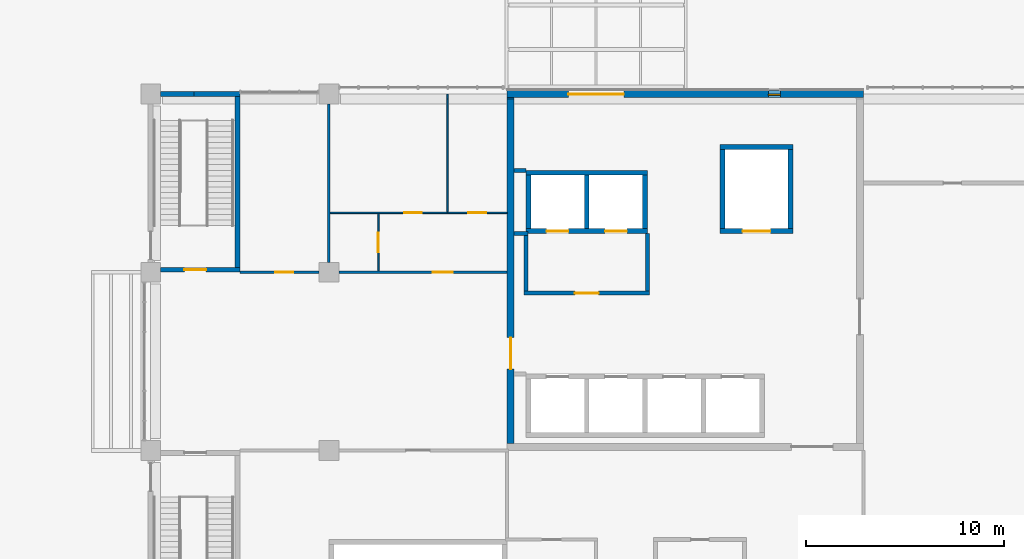
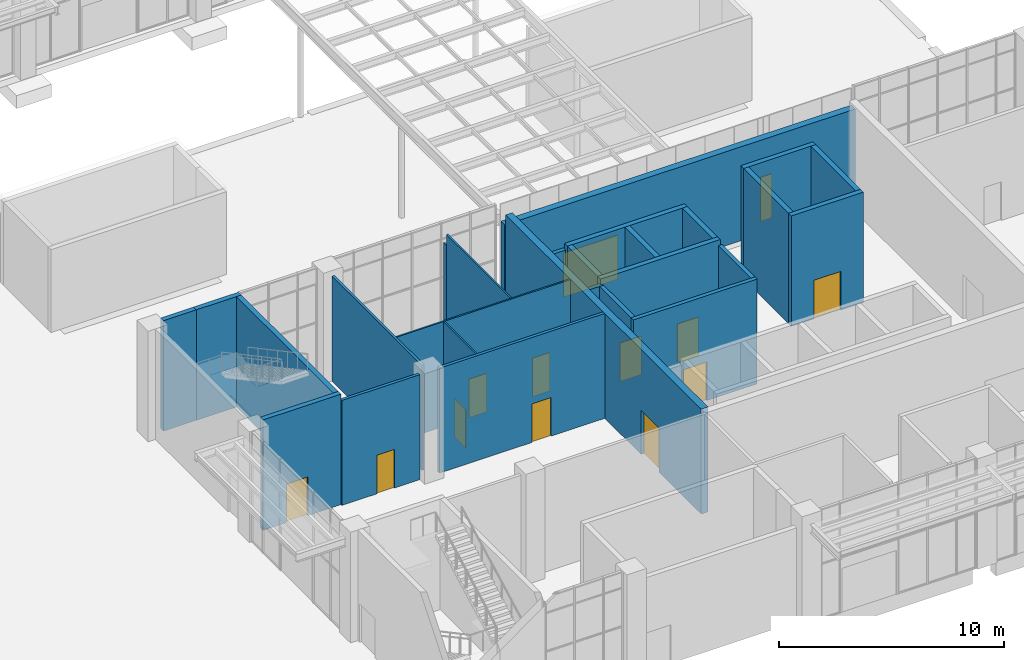
# One storey, part 60 of 86: 28 walls, 12 doors, 1 window, 13 openings.
"""IFC4 building model written with IfcOpenShell, lengths in metres."""

from ifc_helpers import new_model, si_unit, direction, frame, frame_2d, origin, place, context, subcontext, project, spatial, rectangle, extrude, material, layer, layer_set, type_object, element, fill, save


model = new_model("IFC4")

# Units and contexts
model_context = context("Model", 3, precision=1e-05, world=origin(), true_north=direction((0.0, 1.0)))
body_context = subcontext(model_context, "Body", "Model", "MODEL_VIEW")
ifc_project = project(units=[si_unit("LENGTHUNIT", "METRE"), si_unit("AREAUNIT", "SQUARE_METRE"), si_unit("VOLUMEUNIT", "CUBIC_METRE"), si_unit("PLANEANGLEUNIT", "RADIAN"), si_unit("MASSUNIT", "GRAM", prefix="KILO")], contexts=[model_context])

# Site, building, storey
site_placement = place(None, origin())
site = spatial("IfcSite", under=ifc_project, at=site_placement, CompositionType="ELEMENT")
building_placement = place(site_placement, origin())
building = spatial("IfcBuilding", under=site, at=building_placement, Name="Guidao Yard Department Store", CompositionType="ELEMENT")
storey_placement = place(building_placement, origin())
storey = spatial("IfcBuildingStorey", under=building, at=storey_placement, Name="L00", CompositionType="ELEMENT", Elevation=0.0)

# Wall, opening, door
ifc_material_1 = material(Name="Gypsum Board")
ifc_layer_1 = layer(ifc_material_1, 0.14990234375)
ifc_layer_set_1 = layer_set([ifc_layer_1], Name="Corridor Partition 150 Gypsum Board EI 60")
wall_type_1 = type_object("IfcWallType", Name="Corridor Partition 150 Gypsum Board EI 60", PredefinedType="PARTITIONING", material=ifc_layer_set_1)
wall_1_placement = place(storey_placement, frame((130.5, 18.0, 0.0), z_axis=(0.0, 0.0, 1.0), x_axis=(1.0, 0.0, 0.0)))
wall_1 = element("IfcWall", 1, at=wall_1_placement, inside=storey, type_object=wall_type_1, Name="pt.wall.L00.0009", PredefinedType="PARTITIONING", context=body_context, shape_type="SweptSolid", body=[
    extrude(rectangle(XDim=4.0, YDim=0.14990234375, at=frame_2d((2.0, 0.0))), origin(), (0.0, 0.0, 1.0), 5.699951171875),
])
opening_1_placement = place(wall_1_placement, frame((1.800048828125, 0.0, 0.0)))
opening_1 = element("IfcOpeningElement", 2, at=opening_1_placement, cuts=wall_1, Name="Opening L00-410", PredefinedType="OPENING", context=body_context, shape_type="SweptSolid", body=[
    extrude(rectangle(XDim=0.89990234375, YDim=2.10009765625, at=frame_2d((0.449951171875, 1.050048828125))), frame((0.0, 0.0849609375, 0.0), z_axis=(0.0, -1.0, 0.0), x_axis=(1.0, 0.0, 0.0)), (0.0, 0.0, 1.0), 0.169921875),
])
ifc_material_2 = material(Name="Timber door leaf with Steel Q235 frame", Category="steel")
door_type_1 = type_object("IfcDoorType", Name="Door 900 x 2100 FD30 Single Leaf", OperationType="SINGLE_SWING_LEFT", PredefinedType="DOOR", material=ifc_material_2)
door_1_placement = place(opening_1_placement, origin())
door_1 = element("IfcDoor", 3, at=door_1_placement, inside=storey, type_object=door_type_1, Name="Door L00-410", OperationType="SINGLE_SWING_RIGHT", OverallHeight=2.10009765625, OverallWidth=0.89990234375, PredefinedType="DOOR", context=body_context, shape_type="SweptSolid", body=[
    extrude(rectangle(XDim=0.89990234375, YDim=2.10009765625, at=frame_2d((0.449951171875, 1.050048828125))), frame((0.0, 0.02490234375, 0.0), z_axis=(0.0, -1.0, 0.0), x_axis=(1.0, 0.0, 0.0)), (0.0, 0.0, 1.0), 0.050048828125),
])
fill(opening_1, door_1)

wall_2_placement = place(storey_placement, frame((135.5, 18.0, 0.0), z_axis=(0.0, 0.0, 1.0), x_axis=(1.0, 0.0, 0.0)))
wall_2 = element("IfcWall", 4, at=wall_2_placement, inside=storey, type_object=wall_type_1, Name="pt.wall.L00.0010", PredefinedType="PARTITIONING", context=body_context, shape_type="SweptSolid", body=[
    extrude(rectangle(XDim=8.5, YDim=0.14990234375, at=frame_2d((4.25, 0.0))), origin(), (0.0, 0.0, 1.0), 5.699951171875),
])
opening_2_placement = place(wall_2_placement, frame((4.75, 0.0, 0.0)))
opening_2 = element("IfcOpeningElement", 5, at=opening_2_placement, cuts=wall_2, Name="Opening L00-406", PredefinedType="OPENING", context=body_context, shape_type="SweptSolid", body=[
    extrude(rectangle(XDim=1.0, YDim=2.10009765625, at=frame_2d((0.5, 1.050048828125))), frame((0.0, 0.0849609375, 0.0), z_axis=(0.0, -1.0, 0.0), x_axis=(1.0, 0.0, 0.0)), (0.0, 0.0, 1.0), 0.169921875),
])
ifc_material_3 = material(Name="Timber door leaf with Steel Q235 frame", Category="steel")
door_type_2 = type_object("IfcDoorType", Name="Door 1000 x 2100 FD30 Single Leaf", OperationType="SINGLE_SWING_LEFT", PredefinedType="DOOR", material=ifc_material_3)
door_2_placement = place(opening_2_placement, origin())
door_2 = element("IfcDoor", 6, at=door_2_placement, inside=storey, type_object=door_type_2, Name="Door L00-406", OperationType="SINGLE_SWING_RIGHT", OverallHeight=2.10009765625, OverallWidth=1.0, PredefinedType="DOOR", context=body_context, shape_type="SweptSolid", body=[
    extrude(rectangle(XDim=1.0, YDim=2.10009765625, at=frame_2d((0.5, 1.050048828125))), frame((0.0, 0.02490234375, 0.0), z_axis=(0.0, -1.0, 0.0), x_axis=(1.0, 0.0, 0.0)), (0.0, 0.0, 1.0), 0.050048828125),
])
fill(opening_2, door_2)

# Wall, openings, door, window
ifc_material_4 = material(Name="Concrete C40", Category="concrete")
ifc_layer_2 = layer(ifc_material_4, 0.35009765625)
ifc_layer_set_2 = layer_set([ifc_layer_2], Name="Office core face wall 350 C40")
wall_type_2 = type_object("IfcWallType", Name="Office core face wall 350 C40", PredefinedType="SOLIDWALL", material=ifc_layer_set_2)
wall_3_placement = place(storey_placement, frame((144.0, 27.0, 0.0), z_axis=(0.0, 0.0, 1.0), x_axis=(1.0, 0.0, 0.0)))
wall_3 = element("IfcWall", 7, at=wall_3_placement, inside=storey, type_object=wall_type_2, Name="Office north face wall", PredefinedType="SOLIDWALL", context=body_context, shape_type="SweptSolid", body=[
    extrude(rectangle(XDim=18.0, YDim=0.35009765625, at=frame_2d((9.0, 0.0))), origin(), (0.0, 0.0, 1.0), 5.10009765625),
])
opening_3_placement = place(wall_3_placement, frame((3.10009765625, 0.0, 0.0)))
opening_3 = element("IfcOpeningElement", 8, at=opening_3_placement, cuts=wall_3, Name="Opening L00-878", PredefinedType="OPENING", context=body_context, shape_type="SweptSolid", body=[
    extrude(rectangle(XDim=2.800048828125, YDim=2.39990234375, at=frame_2d((1.39990234375, 1.199951171875))), frame((0.0, 0.18505859375, 0.0), z_axis=(0.0, -1.0, 0.0), x_axis=(1.0, 0.0, 0.0)), (0.0, 0.0, 1.0), 0.3701171875),
])
opening_4_placement = place(wall_3_placement, frame((13.199951171875, 0.0, 0.60009765625)))
opening_4 = element("IfcOpeningElement", 9, at=opening_4_placement, cuts=wall_3, Name="Opening WN-L00-E24", PredefinedType="OPENING", context=body_context, shape_type="SweptSolid", body=[
    extrude(rectangle(XDim=0.60009765625, YDim=2.39990234375, at=frame_2d((0.300048828125, 1.199951171875))), frame((0.0, 0.18505859375, 0.0), z_axis=(0.0, -1.0, 0.0), x_axis=(1.0, 0.0, 0.0)), (0.0, 0.0, 1.0), 0.3701171875),
])
ifc_material_5 = material(Name="Toughened glass in Aluminium 6063-T5 frame", Category="aluminium")
door_type_3 = type_object("IfcDoorType", Name="Entrance door ED1 2800 x 2400 glazed double leaf", OperationType="DOUBLE_DOOR_SINGLE_SWING", PredefinedType="DOOR", material=ifc_material_5)
door_3_placement = place(opening_3_placement, origin())
door_3 = element("IfcDoor", 10, at=door_3_placement, inside=storey, type_object=door_type_3, Name="Main entrance OE3", OperationType="DOUBLE_DOOR_SINGLE_SWING", OverallHeight=2.39990234375, OverallWidth=2.800048828125, PredefinedType="DOOR", context=body_context, shape_type="SweptSolid", body=[
    extrude(rectangle(XDim=2.800048828125, YDim=2.39990234375, at=frame_2d((1.39990234375, 1.199951171875))), frame((0.0, 0.02490234375, 0.0), z_axis=(0.0, -1.0, 0.0), x_axis=(1.0, 0.0, 0.0)), (0.0, 0.0, 1.0), 0.050048828125),
])
fill(opening_3, door_3)
ifc_material_6 = material(Name="Laminated glass in aluminium frame", Category="aluminium")
window_type = type_object("IfcWindowType", Name="Lobby window LW1 600 x 2400 fixed", PartitioningType="SINGLE_PANEL", PredefinedType="WINDOW", material=ifc_material_6)
window_placement = place(opening_4_placement, origin())
window = element("IfcWindow", 11, at=window_placement, inside=storey, type_object=window_type, Name="Lift lobby window", OverallHeight=2.39990234375, OverallWidth=0.60009765625, PartitioningType="SINGLE_PANEL", PredefinedType="WINDOW", context=body_context, shape_type="SweptSolid", body=[
    extrude(rectangle(XDim=0.60009765625, YDim=2.39990234375, at=frame_2d((0.300048828125, 1.199951171875))), frame((0.0, -0.0048828125, 0.0), z_axis=(0.0, -1.0, 0.0), x_axis=(1.0, 0.0, 0.0)), (0.0, 0.0, 1.0), 0.06005859375),
])
fill(opening_4, window)

# Wall
ifc_material_7 = material(Name="Gypsum Board")
ifc_layer_3 = layer(ifc_material_7, 0.1201171875)
ifc_layer_set_3 = layer_set([ifc_layer_3], Name="Partition 120 Gypsum Board EI 45")
wall_type_3 = type_object("IfcWallType", Name="Partition 120 Gypsum Board EI 45", PredefinedType="PARTITIONING", material=ifc_layer_set_3)
wall_4_placement = place(storey_placement, frame((135.0, 18.5, 0.0), z_axis=(0.0, 0.0, 1.0), x_axis=(0.0, 1.0, 0.0)))
element("IfcWall", 12, at=wall_4_placement, inside=storey, type_object=wall_type_3, Name="pt.wall.L00.0015", PredefinedType="PARTITIONING", context=body_context, shape_type="SweptSolid", body=[
    extrude(rectangle(XDim=8.0, YDim=0.1201171875, at=frame_2d((4.0, 0.0))), origin(), (0.0, 0.0, 1.0), 5.699951171875),
])

# Wall, openings, doors
ifc_material_8 = material(Name="Gypsum Board")
ifc_layer_4 = layer(ifc_material_8, 0.080078125)
ifc_layer_set_4 = layer_set([ifc_layer_4], Name="Sanitary Partition 80 Gypsum Board EI 45")
wall_type_4 = type_object("IfcWallType", Name="Sanitary Partition 80 Gypsum Board EI 45", PredefinedType="PARTITIONING", material=ifc_layer_set_4)
wall_5_placement = place(storey_placement, frame((135.06005859375, 21.0, 0.0), z_axis=(0.0, 0.0, 1.0), x_axis=(1.0, 0.0, 0.0)))
wall_5 = element("IfcWall", 13, at=wall_5_placement, inside=storey, type_object=wall_type_4, Name="pt.wall.L00.0012", PredefinedType="PARTITIONING", context=body_context, shape_type="SweptSolid", body=[
    extrude(rectangle(XDim=8.93994140625, YDim=0.080078125, at=frame_2d((4.469970703125, 0.0))), origin(), (0.0, 0.0, 1.0), 5.699951171875),
])
opening_5_placement = place(wall_5_placement, frame((3.739990234375, 0.0, 0.0)))
opening_5 = element("IfcOpeningElement", 14, at=opening_5_placement, cuts=wall_5, Name="Opening L00-408", PredefinedType="OPENING", context=body_context, shape_type="SweptSolid", body=[
    extrude(rectangle(XDim=0.89990234375, YDim=2.10009765625, at=frame_2d((0.449951171875, 1.050048828125))), frame((0.0, 0.050048828125, 0.0), z_axis=(0.0, -1.0, 0.0), x_axis=(1.0, 0.0, 0.0)), (0.0, 0.0, 1.0), 0.10009765625),
])
opening_6_placement = place(wall_5_placement, frame((6.989990234375, 0.0, 0.0)))
opening_6 = element("IfcOpeningElement", 15, at=opening_6_placement, cuts=wall_5, Name="Opening L00-409", PredefinedType="OPENING", context=body_context, shape_type="SweptSolid", body=[
    extrude(rectangle(XDim=0.89990234375, YDim=2.10009765625, at=frame_2d((0.449951171875, 1.050048828125))), frame((0.0, 0.050048828125, 0.0), z_axis=(0.0, -1.0, 0.0), x_axis=(1.0, 0.0, 0.0)), (0.0, 0.0, 1.0), 0.10009765625),
])
ifc_material_9 = material(Name="Timber door leaf with Steel Q235 frame", Category="steel")
door_type_4 = type_object("IfcDoorType", Name="Door 900 x 2100 NOT RATED Single Leaf", OperationType="SINGLE_SWING_LEFT", PredefinedType="DOOR", material=ifc_material_9)
door_4_placement = place(opening_5_placement, origin())
door_4 = element("IfcDoor", 16, at=door_4_placement, inside=storey, type_object=door_type_4, Name="Door L00-408", OperationType="SINGLE_SWING_LEFT", OverallHeight=2.10009765625, OverallWidth=0.89990234375, PredefinedType="DOOR", context=body_context, shape_type="SweptSolid", body=[
    extrude(rectangle(XDim=0.89990234375, YDim=2.10009765625, at=frame_2d((0.449951171875, 1.050048828125))), frame((0.0, 0.02490234375, 0.0), z_axis=(0.0, -1.0, 0.0), x_axis=(1.0, 0.0, 0.0)), (0.0, 0.0, 1.0), 0.050048828125),
])
fill(opening_5, door_4)
door_5_placement = place(opening_6_placement, origin())
door_5 = element("IfcDoor", 17, at=door_5_placement, inside=storey, type_object=door_type_4, Name="Door L00-409", OperationType="SINGLE_SWING_RIGHT", OverallHeight=2.10009765625, OverallWidth=0.89990234375, PredefinedType="DOOR", context=body_context, shape_type="SweptSolid", body=[
    extrude(rectangle(XDim=0.89990234375, YDim=2.10009765625, at=frame_2d((0.449951171875, 1.050048828125))), frame((0.0, 0.02490234375, 0.0), z_axis=(0.0, -1.0, 0.0), x_axis=(1.0, 0.0, 0.0)), (0.0, 0.0, 1.0), 0.050048828125),
])
fill(opening_6, door_5)

# Wall, opening, door
wall_6_placement = place(storey_placement, frame((137.5, 18.074951171875, 0.0), z_axis=(0.0, 0.0, 1.0), x_axis=(0.0, 1.0, 0.0)))
wall_6 = element("IfcWall", 18, at=wall_6_placement, inside=storey, type_object=wall_type_4, Name="pt.wall.L00.0016", PredefinedType="PARTITIONING", context=body_context, shape_type="SweptSolid", body=[
    extrude(rectangle(XDim=2.885009765625, YDim=0.080078125, at=frame_2d((1.4423828125, 0.0))), origin(), (0.0, 0.0, 1.0), 5.699951171875),
])
opening_7_placement = place(wall_6_placement, frame((0.925048828125, 0.0, 0.0)))
opening_7 = element("IfcOpeningElement", 19, at=opening_7_placement, cuts=wall_6, Name="Opening L00-407", PredefinedType="OPENING", context=body_context, shape_type="SweptSolid", body=[
    extrude(rectangle(XDim=1.0, YDim=2.10009765625, at=frame_2d((0.5, 1.050048828125))), frame((0.0, 0.050048828125, 0.0), z_axis=(0.0, -1.0, 0.0), x_axis=(1.0, 0.0, 0.0)), (0.0, 0.0, 1.0), 0.10009765625),
])
ifc_material_10 = material(Name="Timber door leaf with Steel Q235 frame", Category="steel")
door_type_5 = type_object("IfcDoorType", Name="Door 1000 x 2100 NOT RATED Single Leaf", OperationType="SINGLE_SWING_LEFT", PredefinedType="DOOR", material=ifc_material_10)
door_6_placement = place(opening_7_placement, origin())
door_6 = element("IfcDoor", 20, at=door_6_placement, inside=storey, type_object=door_type_5, Name="Door L00-407", OperationType="SINGLE_SWING_LEFT", OverallHeight=2.10009765625, OverallWidth=1.0, PredefinedType="DOOR", context=body_context, shape_type="SweptSolid", body=[
    extrude(rectangle(XDim=1.0, YDim=2.10009765625, at=frame_2d((0.5, 1.050048828125))), frame((0.0, 0.02490234375, 0.0), z_axis=(0.0, -1.0, 0.0), x_axis=(1.0, 0.0, 0.0)), (0.0, 0.0, 1.0), 0.050048828125),
])
fill(opening_7, door_6)

# Walls
wall_7_placement = place(storey_placement, frame((141.0, 21.0400390625, 0.0), z_axis=(0.0, 0.0, 1.0), x_axis=(0.0, 1.0, 0.0)))
element("IfcWall", 21, at=wall_7_placement, inside=storey, type_object=wall_type_4, Name="pt.wall.L00.0017", PredefinedType="PARTITIONING", context=body_context, shape_type="SweptSolid", body=[
    extrude(rectangle(XDim=5.7099609375, YDim=0.080078125, at=frame_2d((2.85498046875, 0.0))), origin(), (0.0, 0.0, 1.0), 5.699951171875),
])
wall_8_placement = place(storey_placement, frame((141.0, 26.75, 0.0), z_axis=(0.0, 0.0, 1.0), x_axis=(0.0, 1.0, 0.0)))
element("IfcWall", 22, at=wall_8_placement, inside=storey, type_object=wall_type_4, Name="pt.wall.L00.0017a", PredefinedType="PARTITIONING", context=body_context, shape_type="SweptSolid", body=[
    extrude(rectangle(XDim=0.25, YDim=0.080078125, at=frame_2d((0.125, 0.0))), origin(), (0.0, 0.0, 1.0), 5.10009765625),
])

# Wall, opening, door
ifc_material_11 = material(Name="Autoclaved aerated concrete block A3.5 B06", Category="concrete")
ifc_layer_5 = layer(ifc_material_11, 0.199951171875)
ifc_layer_set_5 = layer_set([ifc_layer_5], Name="Shaft Wall 200 Autoclaved Block EI 120")
wall_type_5 = type_object("IfcWallType", Name="Shaft Wall 200 Autoclaved Block EI 120", PredefinedType="PARTITIONING", material=ifc_layer_set_5)
wall_9_placement = place(storey_placement, frame((144.85009765625, 16.949951171875, 0.0), z_axis=(0.0, 0.0, 1.0), x_axis=(1.0, 0.0, 0.0)))
wall_9 = element("IfcWall", 23, at=wall_9_placement, inside=storey, type_object=wall_type_5, Name="pt.wall.L00.0008", PredefinedType="PARTITIONING", context=body_context, shape_type="SweptSolid", body=[
    extrude(rectangle(XDim=6.349853515625, YDim=0.199951171875, at=frame_2d((3.1748046875, 0.0))), origin(), (0.0, 0.0, 1.0), 5.699951171875),
])
opening_8_placement = place(wall_9_placement, frame((3.77490234375, 0.0, 0.0), z_axis=(0.0, 0.0, 1.0), x_axis=(-1.0, 0.0, 0.0)))
opening_8 = element("IfcOpeningElement", 24, at=opening_8_placement, cuts=wall_9, Name="Opening L00-400", PredefinedType="OPENING", context=body_context, shape_type="SweptSolid", body=[
    extrude(rectangle(XDim=1.199951171875, YDim=2.10009765625, at=frame_2d((0.60009765625, 1.050048828125))), frame((0.0, 0.10986328125, 0.0), z_axis=(0.0, -1.0, 0.0), x_axis=(1.0, 0.0, 0.0)), (0.0, 0.0, 1.0), 0.219970703125),
])
ifc_material_12 = material(Name="Timber door leaf with Steel Q235 frame", Category="steel")
door_type_6 = type_object("IfcDoorType", Name="Door 1200 x 2100 FD60 Single Leaf", OperationType="SINGLE_SWING_LEFT", PredefinedType="DOOR", material=ifc_material_12)
door_7_placement = place(opening_8_placement, origin())
door_7 = element("IfcDoor", 25, at=door_7_placement, inside=storey, type_object=door_type_6, Name="Door L00-400", OperationType="SINGLE_SWING_LEFT", OverallHeight=2.10009765625, OverallWidth=1.199951171875, PredefinedType="DOOR", context=body_context, shape_type="SweptSolid", body=[
    extrude(rectangle(XDim=1.199951171875, YDim=2.10009765625, at=frame_2d((0.60009765625, 1.050048828125))), frame((0.0, 0.02490234375, 0.0), z_axis=(0.0, -1.0, 0.0), x_axis=(1.0, 0.0, 0.0)), (0.0, 0.0, 1.0), 0.050048828125),
])
fill(opening_8, door_7)

# Walls
wall_10_placement = place(storey_placement, frame((144.35009765625, 19.949951171875, 0.0), z_axis=(0.0, 0.0, 1.0), x_axis=(1.0, 0.0, 0.0)))
element("IfcWall", 26, at=wall_10_placement, inside=storey, type_object=wall_type_5, Name="pt.wall.L00.0011", PredefinedType="PARTITIONING", context=body_context, shape_type="SweptSolid", body=[
    extrude(rectangle(XDim=0.699951171875, YDim=0.199951171875, at=frame_2d((0.35009765625, 0.0))), origin(), (0.0, 0.0, 1.0), 5.699951171875),
])
wall_11_placement = place(storey_placement, frame((144.35009765625, 23.14990234375, 0.0), z_axis=(0.0, 0.0, 1.0), x_axis=(1.0, 0.0, 0.0)))
element("IfcWall", 27, at=wall_11_placement, inside=storey, type_object=wall_type_5, Name="pt.wall.L00.0014", PredefinedType="PARTITIONING", context=body_context, shape_type="SweptSolid", body=[
    extrude(rectangle(XDim=0.599853515625, YDim=0.199951171875, at=frame_2d((0.2998046875, 0.0))), origin(), (0.0, 0.0, 1.0), 5.699951171875),
])
wall_12_placement = place(storey_placement, frame((144.949951171875, 17.050048828125, 0.0), z_axis=(0.0, 0.0, 1.0), x_axis=(0.0, 1.0, 0.0)))
element("IfcWall", 28, at=wall_12_placement, inside=storey, type_object=wall_type_5, Name="pt.wall.L00.0020", PredefinedType="PARTITIONING", context=body_context, shape_type="SweptSolid", body=[
    extrude(rectangle(XDim=2.800048828125, YDim=0.199951171875, at=frame_2d((1.39990234375, 0.0))), origin(), (0.0, 0.0, 1.0), 5.699951171875),
])
wall_13_placement = place(storey_placement, frame((151.10009765625, 17.050048828125, 0.0), z_axis=(0.0, 0.0, 1.0), x_axis=(0.0, 1.0, 0.0)))
element("IfcWall", 29, at=wall_13_placement, inside=storey, type_object=wall_type_5, Name="pt.wall.L00.0022", PredefinedType="PARTITIONING", context=body_context, shape_type="SweptSolid", body=[
    extrude(rectangle(XDim=2.89990234375, YDim=0.199951171875, at=frame_2d((1.449951171875, 0.0))), origin(), (0.0, 0.0, 1.0), 5.699951171875),
])

# Wall, opening, door
ifc_material_13 = material(Name="Concrete C50", Category="concrete")
ifc_layer_6 = layer(ifc_material_13, 0.35009765625)
ifc_layer_set_6 = layer_set([ifc_layer_6], Name="Shear Wall 350 Concrete C50")
wall_type_6 = type_object("IfcWallType", Name="Shear Wall 350 Concrete C50", PredefinedType="SHEAR", material=ifc_layer_set_6)
wall_14_placement = place(storey_placement, frame((144.175048828125, 9.35009765625, 0.0), z_axis=(0.0, 0.0, 1.0), x_axis=(0.0, 1.0, 0.0)))
wall_14 = element("IfcWall", 30, at=wall_14_placement, inside=storey, type_object=wall_type_6, Name="pt.wall.L00.0019", PredefinedType="SHEAR", context=body_context, shape_type="SweptSolid", body=[
    extrude(rectangle(XDim=17.39990234375, YDim=0.35009765625, at=frame_2d((8.699951171875, 0.0))), origin(), (0.0, 0.0, 1.0), 5.699951171875),
])
opening_9_placement = place(wall_14_placement, frame((3.75, 0.0, 0.0)))
opening_9 = element("IfcOpeningElement", 31, at=opening_9_placement, cuts=wall_14, Name="Opening L00-402", PredefinedType="OPENING", context=body_context, shape_type="SweptSolid", body=[
    extrude(rectangle(XDim=1.60009765625, YDim=2.39990234375, at=frame_2d((0.800048828125, 1.199951171875))), frame((0.0, 0.18505859375, 0.0), z_axis=(0.0, -1.0, 0.0), x_axis=(1.0, 0.0, 0.0)), (0.0, 0.0, 1.0), 0.3701171875),
])
ifc_material_14 = material(Name="Timber door leaf with Steel Q235 frame", Category="steel")
door_type_7 = type_object("IfcDoorType", Name="Door 1600 x 2400 FD60 Double Leaf", OperationType="DOUBLE_DOOR_SINGLE_SWING", PredefinedType="DOOR", material=ifc_material_14)
door_8_placement = place(opening_9_placement, origin())
door_8 = element("IfcDoor", 32, at=door_8_placement, inside=storey, type_object=door_type_7, Name="Door L00-402", OperationType="DOUBLE_DOOR_SINGLE_SWING", OverallHeight=2.39990234375, OverallWidth=1.60009765625, PredefinedType="DOOR", context=body_context, shape_type="SweptSolid", body=[
    extrude(rectangle(XDim=1.60009765625, YDim=2.39990234375, at=frame_2d((0.800048828125, 1.199951171875))), frame((0.0, 0.02490234375, 0.0), z_axis=(0.0, -1.0, 0.0), x_axis=(1.0, 0.0, 0.0)), (0.0, 0.0, 1.0), 0.050048828125),
])
fill(opening_9, door_8)

# Wall
wall_15_placement = place(storey_placement, frame((144.175048828125, 26.75, 0.0), z_axis=(0.0, 0.0, 1.0), x_axis=(0.0, 1.0, 0.0)))
element("IfcWall", 33, at=wall_15_placement, inside=storey, type_object=wall_type_6, Name="pt.wall.L00.0019a", PredefinedType="SHEAR", context=body_context, shape_type="SweptSolid", body=[
    extrude(rectangle(XDim=0.074951171875, YDim=0.35009765625, at=frame_2d((0.03759765625, 0.0))), origin(), (0.0, 0.0, 1.0), 5.10009765625),
])

# Wall, opening, door
ifc_material_15 = material(Name="Concrete C40", Category="concrete")
ifc_layer_7 = layer(ifc_material_15, 0.25)
ifc_layer_set_7 = layer_set([ifc_layer_7], Name="Wall RC 250 C40 stair and shaft")
wall_type_7 = type_object("IfcWallType", Name="Wall RC 250 C40 stair and shaft", PredefinedType="SHEAR", material=ifc_layer_set_7)
wall_16_placement = place(storey_placement, frame((126.5, 18.125, 0.0), z_axis=(0.0, 0.0, 1.0), x_axis=(1.0, 0.0, 0.0)))
wall_16 = element("IfcWall", 34, at=wall_16_placement, inside=storey, type_object=wall_type_7, Name="Stair wall SO3", PredefinedType="SHEAR", context=body_context, shape_type="SweptSolid", body=[
    extrude(rectangle(XDim=4.0, YDim=0.25, at=frame_2d((2.0, 0.0))), origin(), (0.0, 0.0, 1.0), 6.0),
])
opening_10_placement = place(wall_16_placement, frame((1.199951171875, 0.0, 0.0)))
opening_10 = element("IfcOpeningElement", 35, at=opening_10_placement, cuts=wall_16, Name="Opening L00-842", PredefinedType="OPENING", context=body_context, shape_type="SweptSolid", body=[
    extrude(rectangle(XDim=1.10009765625, YDim=2.10009765625, at=frame_2d((0.550048828125, 1.050048828125))), frame((0.0, 0.135009765625, 0.0), z_axis=(0.0, -1.0, 0.0), x_axis=(1.0, 0.0, 0.0)), (0.0, 0.0, 1.0), 0.27001953125),
])
ifc_material_16 = material(Name="Steel Q235", Category="steel")
door_type_8 = type_object("IfcDoorType", Name="Door fire-resisting 1100 x 2100 FD60", OperationType="SINGLE_SWING_LEFT", PredefinedType="DOOR", material=ifc_material_16)
door_9_placement = place(opening_10_placement, origin())
door_9 = element("IfcDoor", 36, at=door_9_placement, inside=storey, type_object=door_type_8, Name="Stair O3 door L00", OperationType="SINGLE_SWING_LEFT", OverallHeight=2.10009765625, OverallWidth=1.10009765625, PredefinedType="DOOR", context=body_context, shape_type="SweptSolid", body=[
    extrude(rectangle(XDim=1.10009765625, YDim=2.10009765625, at=frame_2d((0.550048828125, 1.050048828125))), frame((0.0, 0.02490234375, 0.0), z_axis=(0.0, -1.0, 0.0), x_axis=(1.0, 0.0, 0.0)), (0.0, 0.0, 1.0), 0.050048828125),
])
fill(opening_10, door_9)

# Walls
wall_17_placement = place(storey_placement, frame((126.5, 27.0, 0.0), z_axis=(0.0, 0.0, 1.0), x_axis=(1.0, 0.0, 0.0)))
element("IfcWall", 37, at=wall_17_placement, inside=storey, type_object=wall_type_7, Name="Stair wall SO3", PredefinedType="SHEAR", context=body_context, shape_type="SweptSolid", body=[
    extrude(rectangle(XDim=1.68798828125, YDim=0.25, at=frame_2d((0.843994140625, 0.0))), origin(), (0.0, 0.0, 1.0), 6.0),
])
wall_18_placement = place(storey_placement, frame((128.18798828125, 27.0, 0.0), z_axis=(0.0, 0.0, 1.0), x_axis=(1.0, 0.0, 0.0)))
element("IfcWall", 38, at=wall_18_placement, inside=storey, type_object=wall_type_7, Name="Stair wall SO3", PredefinedType="SHEAR", context=body_context, shape_type="SweptSolid", body=[
    extrude(rectangle(XDim=2.31201171875, YDim=0.25, at=frame_2d((1.156005859375, 0.0))), origin(), (0.0, 0.0, 1.0), 6.0),
])
wall_19_placement = place(storey_placement, frame((130.375, 18.25, 0.0), z_axis=(0.0, 0.0, 1.0), x_axis=(0.0, 1.0, 0.0)))
element("IfcWall", 39, at=wall_19_placement, inside=storey, type_object=wall_type_7, Name="Stair wall SO3", PredefinedType="SHEAR", context=body_context, shape_type="SweptSolid", body=[
    extrude(rectangle(XDim=8.625, YDim=0.25, at=frame_2d((4.3125, 0.0))), origin(), (0.0, 0.0, 1.0), 6.0),
])

# Wall, openings, doors
wall_20_placement = place(storey_placement, frame((144.949951171875, 20.074951171875, 0.0), z_axis=(0.0, 0.0, 1.0), x_axis=(1.0, 0.0, 0.0)))
wall_20 = element("IfcWall", 40, at=wall_20_placement, inside=storey, type_object=wall_type_7, Name="Lift shaft wall OF1 to OF2", PredefinedType="SHEAR", context=body_context, shape_type="SweptSolid", body=[
    extrude(rectangle(XDim=6.150146484375, YDim=0.25, at=frame_2d((3.0751953125, 0.0))), origin(), (0.0, 0.0, 1.0), 6.0),
])
opening_11_placement = place(wall_20_placement, frame((1.050048828125, 0.0, 0.0)))
opening_11 = element("IfcOpeningElement", 41, at=opening_11_placement, cuts=wall_20, Name="Opening LD-OF1-L00", PredefinedType="OPENING", context=body_context, shape_type="SweptSolid", body=[
    extrude(rectangle(XDim=1.10009765625, YDim=2.10009765625, at=frame_2d((0.550048828125, 1.050048828125))), frame((0.0, 0.135009765625, 0.0), z_axis=(0.0, -1.0, 0.0), x_axis=(1.0, 0.0, 0.0)), (0.0, 0.0, 1.0), 0.27001953125),
])
opening_12_placement = place(wall_20_placement, frame((4.0, 0.0, 0.0)))
opening_12 = element("IfcOpeningElement", 42, at=opening_12_placement, cuts=wall_20, Name="Opening LD-OF2-L00", PredefinedType="OPENING", context=body_context, shape_type="SweptSolid", body=[
    extrude(rectangle(XDim=1.10009765625, YDim=2.10009765625, at=frame_2d((0.550048828125, 1.050048828125))), frame((0.0, 0.135009765625, 0.0), z_axis=(0.0, -1.0, 0.0), x_axis=(1.0, 0.0, 0.0)), (0.0, 0.0, 1.0), 0.27001953125),
])
ifc_material_17 = material(Name="Stainless steel 06Cr19Ni10", Category="steel")
door_type_9 = type_object("IfcDoorType", Name="Lift landing door fire-resisting sliding 1100 x 2100", OperationType="DOUBLE_DOOR_SLIDING", PredefinedType="DOOR", material=ifc_material_17)
door_10_placement = place(opening_11_placement, origin())
door_10 = element("IfcDoor", 43, at=door_10_placement, inside=storey, type_object=door_type_9, Name="Lift landing door OF1 L00", OperationType="DOUBLE_DOOR_SLIDING", OverallHeight=2.10009765625, OverallWidth=1.10009765625, PredefinedType="DOOR", context=body_context, shape_type="SweptSolid", body=[
    extrude(rectangle(XDim=1.10009765625, YDim=2.10009765625, at=frame_2d((0.550048828125, 1.050048828125))), frame((0.0, 0.02490234375, 0.0), z_axis=(0.0, -1.0, 0.0), x_axis=(1.0, 0.0, 0.0)), (0.0, 0.0, 1.0), 0.050048828125),
])
fill(opening_11, door_10)
door_11_placement = place(opening_12_placement, origin())
door_11 = element("IfcDoor", 44, at=door_11_placement, inside=storey, type_object=door_type_9, Name="Lift landing door OF2 L00", OperationType="DOUBLE_DOOR_SLIDING", OverallHeight=2.10009765625, OverallWidth=1.10009765625, PredefinedType="DOOR", context=body_context, shape_type="SweptSolid", body=[
    extrude(rectangle(XDim=1.10009765625, YDim=2.10009765625, at=frame_2d((0.550048828125, 1.050048828125))), frame((0.0, 0.02490234375, 0.0), z_axis=(0.0, -1.0, 0.0), x_axis=(1.0, 0.0, 0.0)), (0.0, 0.0, 1.0), 0.050048828125),
])
fill(opening_12, door_11)

# Walls
wall_21_placement = place(storey_placement, frame((144.949951171875, 23.02490234375, 0.0), z_axis=(0.0, 0.0, 1.0), x_axis=(1.0, 0.0, 0.0)))
element("IfcWall", 45, at=wall_21_placement, inside=storey, type_object=wall_type_7, Name="Lift shaft wall OF1 to OF2", PredefinedType="SHEAR", context=body_context, shape_type="SweptSolid", body=[
    extrude(rectangle(XDim=6.150146484375, YDim=0.25, at=frame_2d((3.0751953125, 0.0))), origin(), (0.0, 0.0, 1.0), 6.0),
])
for number, where, z_axis, x_axis, name in (
    (46, (145.074951171875, 20.199951171875, 0.0), (0.0, 0.0, 1.0), (0.0, 1.0, 0.0), "Lift shaft wall OF1 to OF2"),
    (47, (148.02490234375, 20.199951171875, 0.0), (0.0, 0.0, 1.0), (0.0, 1.0, 0.0), "Lift shaft wall OF1 to OF2"),
    (48, (150.97509765625, 20.199951171875, 0.0), (0.0, 0.0, 1.0), (0.0, 1.0, 0.0), "Lift shaft wall OF1 to OF2"),
):
    element("IfcWall", number, at=place(storey_placement, frame(where, z_axis=z_axis, x_axis=x_axis)), inside=storey, type_object=wall_type_7, Name=name, PredefinedType="SHEAR", context=body_context, shape_type="SweptSolid", body=[
        extrude(rectangle(XDim=2.699951171875, YDim=0.25, at=frame_2d((1.35009765625, 0.0))), origin(), (0.0, 0.0, 1.0), 6.0),
    ])

# Wall, opening, door
wall_22_placement = place(storey_placement, frame((154.75, 20.074951171875, 0.0), z_axis=(0.0, 0.0, 1.0), x_axis=(1.0, 0.0, 0.0)))
wall_22 = element("IfcWall", 49, at=wall_22_placement, inside=storey, type_object=wall_type_7, Name="Lift shaft wall OS1", PredefinedType="SHEAR", context=body_context, shape_type="SweptSolid", body=[
    extrude(rectangle(XDim=3.699951171875, YDim=0.25, at=frame_2d((1.85009765625, 0.0))), origin(), (0.0, 0.0, 1.0), 6.0),
])
opening_13_placement = place(wall_22_placement, frame((1.14990234375, 0.0, 0.0)))
opening_13 = element("IfcOpeningElement", 50, at=opening_13_placement, cuts=wall_22, Name="Opening LD-OS1-L00", PredefinedType="OPENING", context=body_context, shape_type="SweptSolid", body=[
    extrude(rectangle(XDim=1.39990234375, YDim=2.10009765625, at=frame_2d((0.699951171875, 1.050048828125))), frame((0.0, 0.135009765625, 0.0), z_axis=(0.0, -1.0, 0.0), x_axis=(1.0, 0.0, 0.0)), (0.0, 0.0, 1.0), 0.27001953125),
])
ifc_material_18 = material(Name="Stainless steel 06Cr19Ni10", Category="steel")
door_type_10 = type_object("IfcDoorType", Name="Lift landing door fire-resisting sliding 1400 x 2100", OperationType="DOUBLE_DOOR_SLIDING", PredefinedType="DOOR", material=ifc_material_18)
door_12_placement = place(opening_13_placement, origin())
door_12 = element("IfcDoor", 51, at=door_12_placement, inside=storey, type_object=door_type_10, Name="Lift landing door OS1 L00", OperationType="DOUBLE_DOOR_SLIDING", OverallHeight=2.10009765625, OverallWidth=1.39990234375, PredefinedType="DOOR", context=body_context, shape_type="SweptSolid", body=[
    extrude(rectangle(XDim=1.39990234375, YDim=2.10009765625, at=frame_2d((0.699951171875, 1.050048828125))), frame((0.0, 0.02490234375, 0.0), z_axis=(0.0, -1.0, 0.0), x_axis=(1.0, 0.0, 0.0)), (0.0, 0.0, 1.0), 0.050048828125),
])
fill(opening_13, door_12)

# Walls
wall_23_placement = place(storey_placement, frame((154.75, 24.324951171875, 0.0), z_axis=(0.0, 0.0, 1.0), x_axis=(1.0, 0.0, 0.0)))
element("IfcWall", 52, at=wall_23_placement, inside=storey, type_object=wall_type_7, Name="Lift shaft wall OS1", PredefinedType="SHEAR", context=body_context, shape_type="SweptSolid", body=[
    extrude(rectangle(XDim=3.699951171875, YDim=0.25, at=frame_2d((1.85009765625, 0.0))), origin(), (0.0, 0.0, 1.0), 6.0),
])
for number, where, z_axis, x_axis, name in (
    (53, (154.875, 20.199951171875, 0.0), (0.0, 0.0, 1.0), (0.0, 1.0, 0.0), "Lift shaft wall OS1"),
    (54, (158.324951171875, 20.199951171875, 0.0), (0.0, 0.0, 1.0), (0.0, 1.0, 0.0), "Lift shaft wall OS1"),
):
    element("IfcWall", number, at=place(storey_placement, frame(where, z_axis=z_axis, x_axis=x_axis)), inside=storey, type_object=wall_type_7, Name=name, PredefinedType="SHEAR", context=body_context, shape_type="SweptSolid", body=[
        extrude(rectangle(XDim=4.0, YDim=0.25, at=frame_2d((2.0, 0.0))), origin(), (0.0, 0.0, 1.0), 6.0),
    ])

save(model, "model.ifc")
